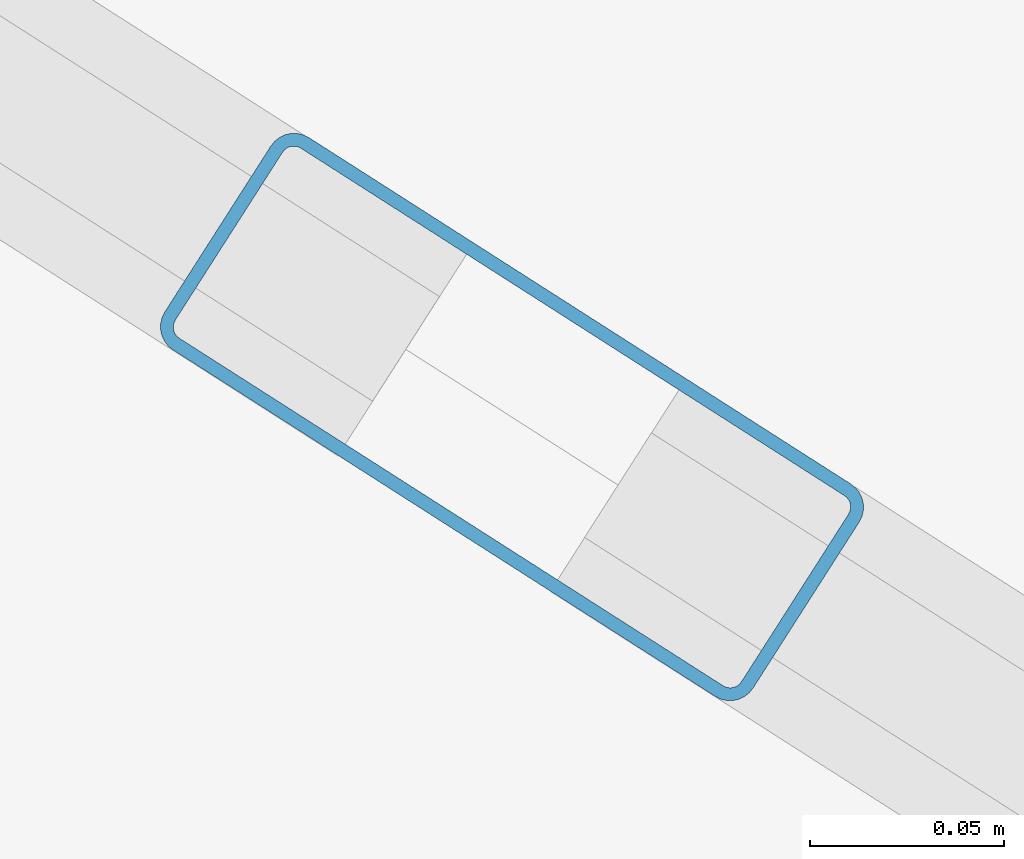
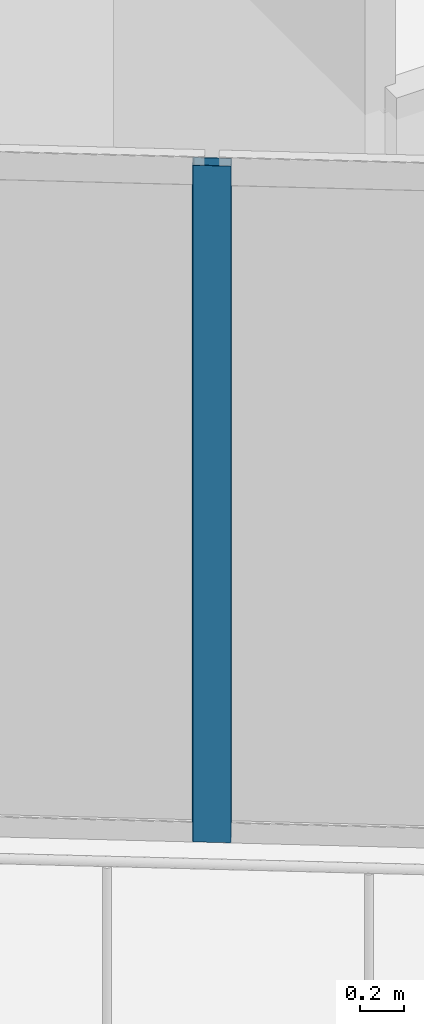
# One storey, part 2 of 33: 1 member, 1 element without a shape of its own.
"""IFC4 building model written with IfcOpenShell, lengths in metres."""

from ifc_helpers import new_model, si_unit, direction, frame, origin, origin_2d, place, context, subcontext, project, spatial, hollow_rectangle, extrude, material, layer, layer_set, material_profile, profile_set, type_object, element, aggregate, save


model = new_model("IFC4")

# Units and contexts
model_context = context("Model", 3, precision=1e-05, world=origin(), true_north=direction((0.0, 1.0)))
body_context = subcontext(model_context, "Body", "Model", "MODEL_VIEW")
ifc_project = project(units=[si_unit("LENGTHUNIT", "METRE"), si_unit("AREAUNIT", "SQUARE_METRE"), si_unit("VOLUMEUNIT", "CUBIC_METRE"), si_unit("PLANEANGLEUNIT", "RADIAN"), si_unit("MASSUNIT", "GRAM", prefix="KILO")], contexts=[model_context])

# Site, building, storey
site_placement = place(None, origin())
site = spatial("IfcSite", under=ifc_project, at=site_placement, CompositionType="ELEMENT")
building_placement = place(site_placement, origin())
building = spatial("IfcBuilding", under=site, at=building_placement, Name="Qorvath Tower", CompositionType="ELEMENT")
storey_placement = place(building_placement, frame((0.0, 0.0, 221.25)))
storey = spatial("IfcBuildingStorey", under=building, at=storey_placement, Name="L51", CompositionType="ELEMENT", Elevation=221.25)

# Curtain wall, member
ifc_material_1 = material(Name="Anodised aluminium and triple low-E glass", Category="aluminium")
ifc_layer = layer(ifc_material_1, 0.179931640625)
ifc_layer_set = layer_set([ifc_layer], Name="CW-SYS-3")
curtain_wall_type = type_object("IfcCurtainWallType", Name="CW-SYS-3", PredefinedType="NOTDEFINED", material=ifc_layer_set)
curtain_wall_placement = place(storey_placement, origin())
curtain_wall = element("IfcCurtainWall", 1, at=curtain_wall_placement, inside=storey, type_object=curtain_wall_type, Name="Curtain Wall CW-3 CW-T-L51-2.2", PredefinedType="NOTDEFINED")
ifc_material_2 = material(Name="Anodised aluminium 6063-T6", Category="aluminium")
ifc_material_profile = material_profile(ifc_material_2, hollow_rectangle(XDim=0.06494140625, YDim=0.179931640625, WallThickness=0.00341796875, InnerFilletRadius=0.00341796875, OuterFilletRadius=0.007080078125, at=origin_2d()), Name="CWM 180x65")
ifc_profile_set = profile_set([ifc_material_profile], Name="Anodised aluminium 6063-T6")
member_type = type_object("IfcMemberType", Name="CWM-180", PredefinedType="MULLION", material=ifc_profile_set)
member_placement = place(storey_placement, frame((-39.374267578125, -12.018798828125, 0.0), z_axis=(0.0, 0.0, 1.0), x_axis=(0.538534785809, 0.842603278224, 0.0)))
member = element("IfcMember", 2, at=member_placement, type_object=member_type, Name="CW-3 mullion 3", PredefinedType="MULLION", context=body_context, shape_type="SweptSolid", body=[
    extrude(hollow_rectangle(XDim=0.06494140625, YDim=0.179931640625, WallThickness=0.00341796875, InnerFilletRadius=0.00341796875, OuterFilletRadius=0.007080078125, at=origin_2d()), origin(), (0.0, 0.0, 1.0), 3.780029296875),
])
aggregate(curtain_wall, [member])

save(model, "model.ifc")
